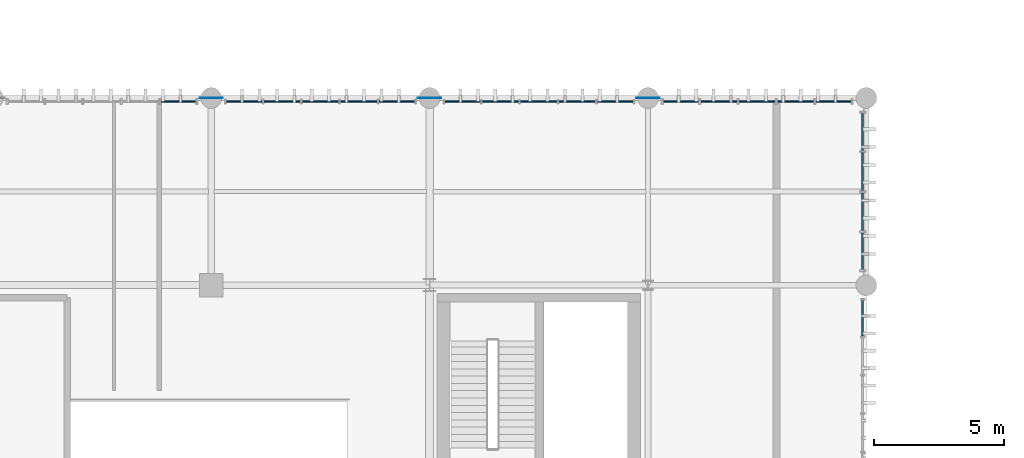
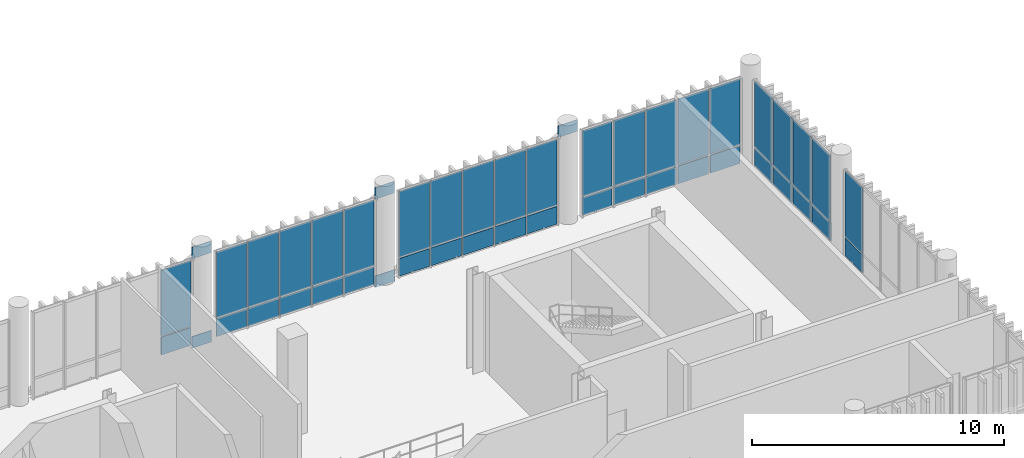
# One storey, part 84 of 109: 47 plates, 6 elements without a shape of their own.
"""IFC4 building model written with IfcOpenShell, lengths in metres."""

from ifc_helpers import new_model, si_unit, direction, frame, frame_2d, origin_with_axes, origin_2d_with_axis, place, context, subcontext, project, spatial, rectangle, extrude, material, layer, layer_set, type_object, element, aggregate, save


model = new_model("IFC4")

# Units and contexts
model_context = context("Model", 3, precision=1e-05, world=origin_with_axes(), true_north=direction((0.0, 1.0)))
body_context = subcontext(model_context, "Body", "Model", "MODEL_VIEW")
ifc_project = project(units=[si_unit("LENGTHUNIT", "METRE"), si_unit("AREAUNIT", "SQUARE_METRE"), si_unit("VOLUMEUNIT", "CUBIC_METRE"), si_unit("PLANEANGLEUNIT", "RADIAN"), si_unit("MASSUNIT", "GRAM", prefix="KILO"), si_unit("THERMODYNAMICTEMPERATUREUNIT", "KELVIN")], contexts=[model_context])

# Site, building, storey
site_placement = place(None, origin_with_axes())
site = spatial("IfcSite", under=ifc_project, at=site_placement, CompositionType="ELEMENT")
building_placement = place(site_placement, origin_with_axes())
building = spatial("IfcBuilding", under=site, at=building_placement, Name="Montbau Bow Law Courts", CompositionType="ELEMENT")
storey_placement = place(building_placement, frame((0.0, 0.0, 10.8), z_axis=(0.0, 0.0, 1.0), x_axis=(1.0, 0.0, 0.0)))
storey = spatial("IfcBuildingStorey", under=building, at=storey_placement, Name="L02", CompositionType="ELEMENT", Elevation=10.8)

# Curtain wall, plate
ifc_material_1 = material(Name="Thermally Broken Extruded Aluminium AA 6063-T6", Category="aluminium")
curtain_wall_type = type_object("IfcCurtainWallType", Name="CW-CRM-01", PredefinedType="NOTDEFINED", material=ifc_material_1)
curtain_wall_1_placement = place(None, frame((64.115, 61.66, 10.8), z_axis=(0.0, 0.0, 1.0), x_axis=(1.0, 0.0, 0.0)))
curtain_wall_1 = element("IfcCurtainWall", 1, at=curtain_wall_1_placement, inside=storey, type_object=curtain_wall_type, Name="CW-L02-165:cw_0165", PredefinedType="NOTDEFINED")
ifc_material_2 = material(Name="Triple-Glazed Low-E Argon Insulating Glass Unit", Category="glass")
ifc_layer_1 = layer(ifc_material_2, 0.044, Name="Curtain Panel", Category="glass")
ifc_layer_set_1 = layer_set([ifc_layer_1], Name="Triple-Glazed Low-E Argon Insulating Glass Unit")
plate_type_1 = type_object("IfcPlateType", Name="PL-CWP-01", PredefinedType="CURTAIN_PANEL", material=ifc_layer_set_1)
plate_1_placement = place(None, frame((70.05, 61.66, 11.78), z_axis=(0.0, -1.0, 0.0), x_axis=(1.0, 0.0, 0.0)))
plate_1 = element("IfcPlate", 2, at=plate_1_placement, type_object=plate_type_1, Name="CW-L02-165-P05-2:cw_0165_P05_2", PredefinedType="CURTAIN_PANEL", context=body_context, shape_type="SweptSolid", body=[
    extrude(rectangle(XDim=1.359, YDim=3.183, at=frame_2d((0.6795, 1.5915), x_axis=(1.0, 0.0))), frame((0.0, 0.0, -0.022), z_axis=(0.0, 0.0, 1.0), x_axis=(1.0, 0.0, 0.0)), (0.0, 0.0, 1.0), 0.044),
])

# Curtain wall, plates
curtain_wall_2_placement = place(None, frame((72.515, 61.66, 10.8), z_axis=(0.0, 0.0, 1.0), x_axis=(1.0, 0.0, 0.0)))
curtain_wall_2 = element("IfcCurtainWall", 3, at=curtain_wall_2_placement, inside=storey, type_object=curtain_wall_type, Name="CW-L02-166:cw_0166", PredefinedType="NOTDEFINED")
plate_2_placement = place(None, frame((72.583, 61.66, 11.782), z_axis=(0.0, -1.0, 0.0), x_axis=(1.0, 0.0, 0.0)))
plate_2 = element("IfcPlate", 4, at=plate_2_placement, type_object=plate_type_1, Name="CW-L02-166-P01-2:cw_0166_P01_2", PredefinedType="CURTAIN_PANEL", context=body_context, shape_type="SweptSolid", body=[
    extrude(rectangle(XDim=1.372, YDim=3.176, at=frame_2d((0.686, 1.588), x_axis=(1.0, 0.0))), frame((0.0, 0.0, -0.022), z_axis=(0.0, 0.0, 1.0), x_axis=(1.0, 0.0, 0.0)), (0.0, 0.0, 1.0), 0.044),
])
plate_3_placement = place(None, frame((74.023, 61.66, 11.782), z_axis=(0.0, -1.0, 0.0), x_axis=(1.0, 0.0, 0.0)))
plate_3 = element("IfcPlate", 5, at=plate_3_placement, type_object=plate_type_1, Name="CW-L02-166-P02-2:cw_0166_P02_2", PredefinedType="CURTAIN_PANEL", context=body_context, shape_type="SweptSolid", body=[
    extrude(rectangle(XDim=1.405, YDim=3.176, at=frame_2d((0.7025, 1.588), x_axis=(1.0, 0.0))), frame((0.0, 0.0, -0.022), z_axis=(0.0, 0.0, 1.0), x_axis=(1.0, 0.0, 0.0)), (0.0, 0.0, 1.0), 0.044),
])
plate_4_placement = place(None, frame((75.497, 61.66, 11.782), z_axis=(0.0, -1.0, 0.0), x_axis=(1.0, 0.0, 0.0)))
plate_4 = element("IfcPlate", 6, at=plate_4_placement, type_object=plate_type_1, Name="CW-L02-166-P03-2:cw_0166_P03_2", PredefinedType="CURTAIN_PANEL", context=body_context, shape_type="SweptSolid", body=[
    extrude(rectangle(XDim=1.406, YDim=3.176, at=frame_2d((0.703, 1.588), x_axis=(1.0, 0.0))), frame((0.0, 0.0, -0.022), z_axis=(0.0, 0.0, 1.0), x_axis=(1.0, 0.0, 0.0)), (0.0, 0.0, 1.0), 0.044),
])
plate_5_placement = place(None, frame((76.971, 61.66, 11.782), z_axis=(0.0, -1.0, 0.0), x_axis=(1.0, 0.0, 0.0)))
plate_5 = element("IfcPlate", 7, at=plate_5_placement, type_object=plate_type_1, Name="CW-L02-166-P04-2:cw_0166_P04_2", PredefinedType="CURTAIN_PANEL", context=body_context, shape_type="SweptSolid", body=[
    extrude(rectangle(XDim=1.406, YDim=3.176, at=frame_2d((0.703, 1.588), x_axis=(1.0, 0.0))), frame((0.0, 0.0, -0.022), z_axis=(0.0, 0.0, 1.0), x_axis=(1.0, 0.0, 0.0)), (0.0, 0.0, 1.0), 0.044),
])
plate_6_placement = place(None, frame((78.445, 61.66, 11.782), z_axis=(0.0, -1.0, 0.0), x_axis=(1.0, 0.0, 0.0)))
plate_6 = element("IfcPlate", 8, at=plate_6_placement, type_object=plate_type_1, Name="CW-L02-166-P05-2:cw_0166_P05_2", PredefinedType="CURTAIN_PANEL", context=body_context, shape_type="SweptSolid", body=[
    extrude(rectangle(XDim=1.374, YDim=3.176, at=frame_2d((0.687, 1.588), x_axis=(1.0, 0.0))), frame((0.0, 0.0, -0.022), z_axis=(0.0, 0.0, 1.0), x_axis=(1.0, 0.0, 0.0)), (0.0, 0.0, 1.0), 0.044),
])

curtain_wall_3_placement = place(None, frame((80.915, 61.66, 10.8), z_axis=(0.0, 0.0, 1.0), x_axis=(1.0, 0.0, 0.0)))
curtain_wall_3 = element("IfcCurtainWall", 9, at=curtain_wall_3_placement, inside=storey, type_object=curtain_wall_type, Name="CW-L02-167:cw_0167", PredefinedType="NOTDEFINED")
plate_7_placement = place(None, frame((80.977, 61.66, 11.78), z_axis=(0.0, -1.0, 0.0), x_axis=(1.0, 0.0, 0.0)))
plate_7 = element("IfcPlate", 10, at=plate_7_placement, type_object=plate_type_1, Name="CW-L02-167-P01-2:cw_0167_P01_2", PredefinedType="CURTAIN_PANEL", context=body_context, shape_type="SweptSolid", body=[
    extrude(rectangle(XDim=1.38, YDim=3.183, at=frame_2d((0.69, 1.5915), x_axis=(1.0, 0.0))), frame((0.0, 0.0, -0.022), z_axis=(0.0, 0.0, 1.0), x_axis=(1.0, 0.0, 0.0)), (0.0, 0.0, 1.0), 0.044),
])
plate_8_placement = place(None, frame((82.421, 61.66, 11.78), z_axis=(0.0, -1.0, 0.0), x_axis=(1.0, 0.0, 0.0)))
plate_8 = element("IfcPlate", 11, at=plate_8_placement, type_object=plate_type_1, Name="CW-L02-167-P02-2:cw_0167_P02_2", PredefinedType="CURTAIN_PANEL", context=body_context, shape_type="SweptSolid", body=[
    extrude(rectangle(XDim=1.41, YDim=3.183, at=frame_2d((0.705, 1.5915), x_axis=(1.0, 0.0))), frame((0.0, 0.0, -0.022), z_axis=(0.0, 0.0, 1.0), x_axis=(1.0, 0.0, 0.0)), (0.0, 0.0, 1.0), 0.044),
])
plate_9_placement = place(None, frame((83.895, 61.66, 11.78), z_axis=(0.0, -1.0, 0.0), x_axis=(1.0, 0.0, 0.0)))
plate_9 = element("IfcPlate", 12, at=plate_9_placement, type_object=plate_type_1, Name="CW-L02-167-P03-2:cw_0167_P03_2", PredefinedType="CURTAIN_PANEL", context=body_context, shape_type="SweptSolid", body=[
    extrude(rectangle(XDim=1.41, YDim=3.183, at=frame_2d((0.705, 1.5915), x_axis=(1.0, 0.0))), frame((0.0, 0.0, -0.022), z_axis=(0.0, 0.0, 1.0), x_axis=(1.0, 0.0, 0.0)), (0.0, 0.0, 1.0), 0.044),
])
plate_10_placement = place(None, frame((85.369, 61.66, 11.78), z_axis=(0.0, -1.0, 0.0), x_axis=(1.0, 0.0, 0.0)))
plate_10 = element("IfcPlate", 13, at=plate_10_placement, type_object=plate_type_1, Name="CW-L02-167-P04-2:cw_0167_P04_2", PredefinedType="CURTAIN_PANEL", context=body_context, shape_type="SweptSolid", body=[
    extrude(rectangle(XDim=1.41, YDim=3.183, at=frame_2d((0.705, 1.5915), x_axis=(1.0, 0.0))), frame((0.0, 0.0, -0.022), z_axis=(0.0, 0.0, 1.0), x_axis=(1.0, 0.0, 0.0)), (0.0, 0.0, 1.0), 0.044),
])
plate_11_placement = place(None, frame((86.843, 61.66, 11.78), z_axis=(0.0, -1.0, 0.0), x_axis=(1.0, 0.0, 0.0)))
plate_11 = element("IfcPlate", 14, at=plate_11_placement, type_object=plate_type_1, Name="CW-L02-167-P05-2:cw_0167_P05_2", PredefinedType="CURTAIN_PANEL", context=body_context, shape_type="SweptSolid", body=[
    extrude(rectangle(XDim=1.38, YDim=3.183, at=frame_2d((0.69, 1.5915), x_axis=(1.0, 0.0))), frame((0.0, 0.0, -0.022), z_axis=(0.0, 0.0, 1.0), x_axis=(1.0, 0.0, 0.0)), (0.0, 0.0, 1.0), 0.044),
])

curtain_wall_4_placement = place(None, frame((89.315, 61.66, 10.8), z_axis=(0.0, 0.0, 1.0), x_axis=(1.0, 0.0, 0.0)))
curtain_wall_4 = element("IfcCurtainWall", 15, at=curtain_wall_4_placement, inside=storey, type_object=curtain_wall_type, Name="CW-L02-168:cw_0168", PredefinedType="NOTDEFINED")
plate_12_placement = place(None, frame((89.391, 61.66, 11.782), z_axis=(0.0, -1.0, 0.0), x_axis=(1.0, 0.0, 0.0)))
plate_12 = element("IfcPlate", 16, at=plate_12_placement, type_object=plate_type_1, Name="CW-L02-168-P01-2:cw_0168_P01_2", PredefinedType="CURTAIN_PANEL", context=body_context, shape_type="SweptSolid", body=[
    extrude(rectangle(XDim=1.358, YDim=3.176, at=frame_2d((0.679, 1.588), x_axis=(1.0, 0.0))), frame((0.0, 0.0, -0.022), z_axis=(0.0, 0.0, 1.0), x_axis=(1.0, 0.0, 0.0)), (0.0, 0.0, 1.0), 0.044),
])
plate_13_placement = place(None, frame((90.829, 61.66, 11.782), z_axis=(0.0, -1.0, 0.0), x_axis=(1.0, 0.0, 0.0)))
plate_13 = element("IfcPlate", 17, at=plate_13_placement, type_object=plate_type_1, Name="CW-L02-168-P02-2:cw_0168_P02_2", PredefinedType="CURTAIN_PANEL", context=body_context, shape_type="SweptSolid", body=[
    extrude(rectangle(XDim=1.395, YDim=3.176, at=frame_2d((0.6975, 1.588), x_axis=(1.0, 0.0))), frame((0.0, 0.0, -0.022), z_axis=(0.0, 0.0, 1.0), x_axis=(1.0, 0.0, 0.0)), (0.0, 0.0, 1.0), 0.044),
])
plate_14_placement = place(None, frame((92.302, 61.66, 11.782), z_axis=(0.0, -1.0, 0.0), x_axis=(1.0, 0.0, 0.0)))
plate_14 = element("IfcPlate", 18, at=plate_14_placement, type_object=plate_type_1, Name="CW-L02-168-P03-2:cw_0168_P03_2", PredefinedType="CURTAIN_PANEL", context=body_context, shape_type="SweptSolid", body=[
    extrude(rectangle(XDim=1.396, YDim=3.176, at=frame_2d((0.698, 1.588), x_axis=(1.0, 0.0))), frame((0.0, 0.0, -0.022), z_axis=(0.0, 0.0, 1.0), x_axis=(1.0, 0.0, 0.0)), (0.0, 0.0, 1.0), 0.044),
])
plate_15_placement = place(None, frame((93.776, 61.66, 11.782), z_axis=(0.0, -1.0, 0.0), x_axis=(1.0, 0.0, 0.0)))
plate_15 = element("IfcPlate", 19, at=plate_15_placement, type_object=plate_type_1, Name="CW-L02-168-P04-2:cw_0168_P04_2", PredefinedType="CURTAIN_PANEL", context=body_context, shape_type="SweptSolid", body=[
    extrude(rectangle(XDim=1.396, YDim=3.176, at=frame_2d((0.698, 1.588), x_axis=(1.0, 0.0))), frame((0.0, 0.0, -0.022), z_axis=(0.0, 0.0, 1.0), x_axis=(1.0, 0.0, 0.0)), (0.0, 0.0, 1.0), 0.044),
])
plate_16_placement = place(None, frame((95.25, 61.66, 11.782), z_axis=(0.0, -1.0, 0.0), x_axis=(1.0, 0.0, 0.0)))
plate_16 = element("IfcPlate", 20, at=plate_16_placement, type_object=plate_type_1, Name="CW-L02-168-P05-2:cw_0168_P05_2", PredefinedType="CURTAIN_PANEL", context=body_context, shape_type="SweptSolid", body=[
    extrude(rectangle(XDim=1.359, YDim=3.176, at=frame_2d((0.6795, 1.588), x_axis=(1.0, 0.0))), frame((0.0, 0.0, -0.022), z_axis=(0.0, 0.0, 1.0), x_axis=(1.0, 0.0, 0.0)), (0.0, 0.0, 1.0), 0.044),
])

# Curtain wall, plate
curtain_wall_5_placement = place(None, frame((97.06, 46.715, 10.8), z_axis=(0.0, 0.0, 1.0), x_axis=(1.0, 0.0, 0.0)))
curtain_wall_5 = element("IfcCurtainWall", 21, at=curtain_wall_5_placement, inside=storey, type_object=curtain_wall_type, Name="CW-L02-173:cw_0173", PredefinedType="NOTDEFINED")
plate_17_placement = place(None, frame((97.06, 52.643, 11.78), z_axis=(1.0, 0.0, 0.0), x_axis=(0.0, 1.0, 0.0)))
plate_17 = element("IfcPlate", 22, at=plate_17_placement, type_object=plate_type_1, Name="CW-L02-173-P05-2:cw_0173_P05_2", PredefinedType="CURTAIN_PANEL", context=body_context, shape_type="SweptSolid", body=[
    extrude(rectangle(XDim=1.38, YDim=3.183, at=frame_2d((0.69, 1.5915), x_axis=(1.0, 0.0))), frame((0.0, 0.0, -0.022), z_axis=(0.0, 0.0, 1.0), x_axis=(1.0, 0.0, 0.0)), (0.0, 0.0, 1.0), 0.044),
])

# Curtain wall, plates
curtain_wall_6_placement = place(None, frame((97.06, 55.115, 10.8), z_axis=(0.0, 0.0, 1.0), x_axis=(1.0, 0.0, 0.0)))
curtain_wall_6 = element("IfcCurtainWall", 23, at=curtain_wall_6_placement, inside=storey, type_object=curtain_wall_type, Name="CW-L02-174:cw_0174", PredefinedType="NOTDEFINED")
plate_18_placement = place(None, frame((97.06, 55.191, 11.782), z_axis=(1.0, 0.0, 0.0), x_axis=(0.0, 1.0, 0.0)))
plate_18 = element("IfcPlate", 24, at=plate_18_placement, type_object=plate_type_1, Name="CW-L02-174-P01-2:cw_0174_P01_2", PredefinedType="CURTAIN_PANEL", context=body_context, shape_type="SweptSolid", body=[
    extrude(rectangle(XDim=1.426, YDim=3.176, at=frame_2d((0.713, 1.588), x_axis=(1.0, 0.0))), frame((0.0, 0.0, -0.022), z_axis=(0.0, 0.0, 1.0), x_axis=(1.0, 0.0, 0.0)), (0.0, 0.0, 1.0), 0.044),
])
plate_19_placement = place(None, frame((97.06, 56.697, 11.782), z_axis=(1.0, 0.0, 0.0), x_axis=(0.0, 1.0, 0.0)))
plate_19 = element("IfcPlate", 25, at=plate_19_placement, type_object=plate_type_1, Name="CW-L02-174-P02-2:cw_0174_P02_2", PredefinedType="CURTAIN_PANEL", context=body_context, shape_type="SweptSolid", body=[
    extrude(rectangle(XDim=1.464, YDim=3.176, at=frame_2d((0.732, 1.588), x_axis=(1.0, 0.0))), frame((0.0, 0.0, -0.022), z_axis=(0.0, 0.0, 1.0), x_axis=(1.0, 0.0, 0.0)), (0.0, 0.0, 1.0), 0.044),
])
plate_20_placement = place(None, frame((97.06, 58.239, 11.782), z_axis=(1.0, 0.0, 0.0), x_axis=(0.0, 1.0, 0.0)))
plate_20 = element("IfcPlate", 26, at=plate_20_placement, type_object=plate_type_1, Name="CW-L02-174-P03-2:cw_0174_P03_2", PredefinedType="CURTAIN_PANEL", context=body_context, shape_type="SweptSolid", body=[
    extrude(rectangle(XDim=1.464, YDim=3.176, at=frame_2d((0.732, 1.588), x_axis=(1.0, 0.0))), frame((0.0, 0.0, -0.022), z_axis=(0.0, 0.0, 1.0), x_axis=(1.0, 0.0, 0.0)), (0.0, 0.0, 1.0), 0.044),
])
plate_21_placement = place(None, frame((97.06, 59.781, 11.782), z_axis=(1.0, 0.0, 0.0), x_axis=(0.0, 1.0, 0.0)))
plate_21 = element("IfcPlate", 27, at=plate_21_placement, type_object=plate_type_1, Name="CW-L02-174-P04-2:cw_0174_P04_2", PredefinedType="CURTAIN_PANEL", context=body_context, shape_type="SweptSolid", body=[
    extrude(rectangle(XDim=1.427, YDim=3.176, at=frame_2d((0.7135, 1.588), x_axis=(1.0, 0.0))), frame((0.0, 0.0, -0.022), z_axis=(0.0, 0.0, 1.0), x_axis=(1.0, 0.0, 0.0)), (0.0, 0.0, 1.0), 0.044),
])

# Plate
ifc_material_3 = material(Name="Insulated Ceramic-Frit Spandrel Glazing Unit", Category="glass")
ifc_layer_2 = layer(ifc_material_3, 0.056, Name="Curtain Panel", Category="glass")
ifc_layer_set_2 = layer_set([ifc_layer_2], Name="Insulated Ceramic-Frit Spandrel Glazing Unit")
plate_type_2 = type_object("IfcPlateType", Name="PL-CWP-02", PredefinedType="CURTAIN_PANEL", material=ifc_layer_set_2)
plate_22_placement = place(None, frame((70.05, 61.66, 10.857), z_axis=(0.0, -1.0, 0.0), x_axis=(1.0, 0.0, 0.0)))
plate_22 = element("IfcPlate", 28, at=plate_22_placement, type_object=plate_type_2, Name="CW-L02-165-P05-1:cw_0165_P05_1", PredefinedType="CURTAIN_PANEL", context=body_context, shape_type="SweptSolid", body=[
    extrude(rectangle(XDim=1.359, YDim=0.863, at=frame_2d((0.6795, 0.4315), x_axis=(1.0, 0.0))), frame((0.0, 0.0, -0.028), z_axis=(0.0, 0.0, 1.0), x_axis=(1.0, 0.0, 0.0)), (0.0, 0.0, 1.0), 0.056),
])

aggregate(curtain_wall_1, [plate_22, plate_1])

plate_23_placement = place(None, frame((72.583, 61.66, 10.862), z_axis=(0.0, -1.0, 0.0), x_axis=(1.0, 0.0, 0.0)))
plate_23 = element("IfcPlate", 29, at=plate_23_placement, type_object=plate_type_2, Name="CW-L02-166-P01-1:cw_0166_P01_1", PredefinedType="CURTAIN_PANEL", context=body_context, shape_type="SweptSolid", body=[
    extrude(rectangle(XDim=1.372, YDim=0.856, at=frame_2d((0.686, 0.428), x_axis=(1.0, 0.0))), frame((0.0, 0.0, -0.028), z_axis=(0.0, 0.0, 1.0), x_axis=(1.0, 0.0, 0.0)), (0.0, 0.0, 1.0), 0.056),
])

plate_24_placement = place(None, frame((74.023, 61.66, 10.862), z_axis=(0.0, -1.0, 0.0), x_axis=(1.0, 0.0, 0.0)))
plate_24 = element("IfcPlate", 30, at=plate_24_placement, type_object=plate_type_2, Name="CW-L02-166-P02-1:cw_0166_P02_1", PredefinedType="CURTAIN_PANEL", context=body_context, shape_type="SweptSolid", body=[
    extrude(rectangle(XDim=1.405, YDim=0.856, at=frame_2d((0.7025, 0.428), x_axis=(1.0, 0.0))), frame((0.0, 0.0, -0.028), z_axis=(0.0, 0.0, 1.0), x_axis=(1.0, 0.0, 0.0)), (0.0, 0.0, 1.0), 0.056),
])

plate_25_placement = place(None, frame((75.497, 61.66, 10.862), z_axis=(0.0, -1.0, 0.0), x_axis=(1.0, 0.0, 0.0)))
plate_25 = element("IfcPlate", 31, at=plate_25_placement, type_object=plate_type_2, Name="CW-L02-166-P03-1:cw_0166_P03_1", PredefinedType="CURTAIN_PANEL", context=body_context, shape_type="SweptSolid", body=[
    extrude(rectangle(XDim=1.406, YDim=0.856, at=frame_2d((0.703, 0.428), x_axis=(1.0, 0.0))), frame((0.0, 0.0, -0.028), z_axis=(0.0, 0.0, 1.0), x_axis=(1.0, 0.0, 0.0)), (0.0, 0.0, 1.0), 0.056),
])

plate_26_placement = place(None, frame((76.971, 61.66, 10.862), z_axis=(0.0, -1.0, 0.0), x_axis=(1.0, 0.0, 0.0)))
plate_26 = element("IfcPlate", 32, at=plate_26_placement, type_object=plate_type_2, Name="CW-L02-166-P04-1:cw_0166_P04_1", PredefinedType="CURTAIN_PANEL", context=body_context, shape_type="SweptSolid", body=[
    extrude(rectangle(XDim=1.406, YDim=0.856, at=frame_2d((0.703, 0.428), x_axis=(1.0, 0.0))), frame((0.0, 0.0, -0.028), z_axis=(0.0, 0.0, 1.0), x_axis=(1.0, 0.0, 0.0)), (0.0, 0.0, 1.0), 0.056),
])

plate_27_placement = place(None, frame((78.445, 61.66, 10.862), z_axis=(0.0, -1.0, 0.0), x_axis=(1.0, 0.0, 0.0)))
plate_27 = element("IfcPlate", 33, at=plate_27_placement, type_object=plate_type_2, Name="CW-L02-166-P05-1:cw_0166_P05_1", PredefinedType="CURTAIN_PANEL", context=body_context, shape_type="SweptSolid", body=[
    extrude(rectangle(XDim=1.374, YDim=0.856, at=frame_2d((0.687, 0.428), x_axis=(1.0, 0.0))), frame((0.0, 0.0, -0.028), z_axis=(0.0, 0.0, 1.0), x_axis=(1.0, 0.0, 0.0)), (0.0, 0.0, 1.0), 0.056),
])

aggregate(curtain_wall_2, [plate_23, plate_2, plate_24, plate_3, plate_25, plate_4, plate_26, plate_5, plate_27, plate_6])

plate_28_placement = place(None, frame((80.977, 61.66, 10.857), z_axis=(0.0, -1.0, 0.0), x_axis=(1.0, 0.0, 0.0)))
plate_28 = element("IfcPlate", 34, at=plate_28_placement, type_object=plate_type_2, Name="CW-L02-167-P01-1:cw_0167_P01_1", PredefinedType="CURTAIN_PANEL", context=body_context, shape_type="SweptSolid", body=[
    extrude(rectangle(XDim=1.38, YDim=0.863, at=frame_2d((0.69, 0.4315), x_axis=(1.0, 0.0))), frame((0.0, 0.0, -0.028), z_axis=(0.0, 0.0, 1.0), x_axis=(1.0, 0.0, 0.0)), (0.0, 0.0, 1.0), 0.056),
])

plate_29_placement = place(None, frame((82.421, 61.66, 10.857), z_axis=(0.0, -1.0, 0.0), x_axis=(1.0, 0.0, 0.0)))
plate_29 = element("IfcPlate", 35, at=plate_29_placement, type_object=plate_type_2, Name="CW-L02-167-P02-1:cw_0167_P02_1", PredefinedType="CURTAIN_PANEL", context=body_context, shape_type="SweptSolid", body=[
    extrude(rectangle(XDim=1.41, YDim=0.863, at=frame_2d((0.705, 0.4315), x_axis=(1.0, 0.0))), frame((0.0, 0.0, -0.028), z_axis=(0.0, 0.0, 1.0), x_axis=(1.0, 0.0, 0.0)), (0.0, 0.0, 1.0), 0.056),
])

plate_30_placement = place(None, frame((83.895, 61.66, 10.857), z_axis=(0.0, -1.0, 0.0), x_axis=(1.0, 0.0, 0.0)))
plate_30 = element("IfcPlate", 36, at=plate_30_placement, type_object=plate_type_2, Name="CW-L02-167-P03-1:cw_0167_P03_1", PredefinedType="CURTAIN_PANEL", context=body_context, shape_type="SweptSolid", body=[
    extrude(rectangle(XDim=1.41, YDim=0.863, at=frame_2d((0.705, 0.4315), x_axis=(1.0, 0.0))), frame((0.0, 0.0, -0.028), z_axis=(0.0, 0.0, 1.0), x_axis=(1.0, 0.0, 0.0)), (0.0, 0.0, 1.0), 0.056),
])

plate_31_placement = place(None, frame((85.369, 61.66, 10.857), z_axis=(0.0, -1.0, 0.0), x_axis=(1.0, 0.0, 0.0)))
plate_31 = element("IfcPlate", 37, at=plate_31_placement, type_object=plate_type_2, Name="CW-L02-167-P04-1:cw_0167_P04_1", PredefinedType="CURTAIN_PANEL", context=body_context, shape_type="SweptSolid", body=[
    extrude(rectangle(XDim=1.41, YDim=0.863, at=frame_2d((0.705, 0.4315), x_axis=(1.0, 0.0))), frame((0.0, 0.0, -0.028), z_axis=(0.0, 0.0, 1.0), x_axis=(1.0, 0.0, 0.0)), (0.0, 0.0, 1.0), 0.056),
])

plate_32_placement = place(None, frame((86.843, 61.66, 10.857), z_axis=(0.0, -1.0, 0.0), x_axis=(1.0, 0.0, 0.0)))
plate_32 = element("IfcPlate", 38, at=plate_32_placement, type_object=plate_type_2, Name="CW-L02-167-P05-1:cw_0167_P05_1", PredefinedType="CURTAIN_PANEL", context=body_context, shape_type="SweptSolid", body=[
    extrude(rectangle(XDim=1.38, YDim=0.863, at=frame_2d((0.69, 0.4315), x_axis=(1.0, 0.0))), frame((0.0, 0.0, -0.028), z_axis=(0.0, 0.0, 1.0), x_axis=(1.0, 0.0, 0.0)), (0.0, 0.0, 1.0), 0.056),
])

aggregate(curtain_wall_3, [plate_28, plate_7, plate_29, plate_8, plate_30, plate_9, plate_31, plate_10, plate_32, plate_11])

plate_33_placement = place(None, frame((89.391, 61.66, 10.862), z_axis=(0.0, -1.0, 0.0), x_axis=(1.0, 0.0, 0.0)))
plate_33 = element("IfcPlate", 39, at=plate_33_placement, type_object=plate_type_2, Name="CW-L02-168-P01-1:cw_0168_P01_1", PredefinedType="CURTAIN_PANEL", context=body_context, shape_type="SweptSolid", body=[
    extrude(rectangle(XDim=1.358, YDim=0.856, at=frame_2d((0.679, 0.428), x_axis=(1.0, 0.0))), frame((0.0, 0.0, -0.028), z_axis=(0.0, 0.0, 1.0), x_axis=(1.0, 0.0, 0.0)), (0.0, 0.0, 1.0), 0.056),
])

plate_34_placement = place(None, frame((90.829, 61.66, 10.862), z_axis=(0.0, -1.0, 0.0), x_axis=(1.0, 0.0, 0.0)))
plate_34 = element("IfcPlate", 40, at=plate_34_placement, type_object=plate_type_2, Name="CW-L02-168-P02-1:cw_0168_P02_1", PredefinedType="CURTAIN_PANEL", context=body_context, shape_type="SweptSolid", body=[
    extrude(rectangle(XDim=1.395, YDim=0.856, at=frame_2d((0.6975, 0.428), x_axis=(1.0, 0.0))), frame((0.0, 0.0, -0.028), z_axis=(0.0, 0.0, 1.0), x_axis=(1.0, 0.0, 0.0)), (0.0, 0.0, 1.0), 0.056),
])

plate_35_placement = place(None, frame((92.302, 61.66, 10.862), z_axis=(0.0, -1.0, 0.0), x_axis=(1.0, 0.0, 0.0)))
plate_35 = element("IfcPlate", 41, at=plate_35_placement, type_object=plate_type_2, Name="CW-L02-168-P03-1:cw_0168_P03_1", PredefinedType="CURTAIN_PANEL", context=body_context, shape_type="SweptSolid", body=[
    extrude(rectangle(XDim=1.396, YDim=0.856, at=frame_2d((0.698, 0.428), x_axis=(1.0, 0.0))), frame((0.0, 0.0, -0.028), z_axis=(0.0, 0.0, 1.0), x_axis=(1.0, 0.0, 0.0)), (0.0, 0.0, 1.0), 0.056),
])

plate_36_placement = place(None, frame((93.776, 61.66, 10.862), z_axis=(0.0, -1.0, 0.0), x_axis=(1.0, 0.0, 0.0)))
plate_36 = element("IfcPlate", 42, at=plate_36_placement, type_object=plate_type_2, Name="CW-L02-168-P04-1:cw_0168_P04_1", PredefinedType="CURTAIN_PANEL", context=body_context, shape_type="SweptSolid", body=[
    extrude(rectangle(XDim=1.396, YDim=0.856, at=frame_2d((0.698, 0.428), x_axis=(1.0, 0.0))), frame((0.0, 0.0, -0.028), z_axis=(0.0, 0.0, 1.0), x_axis=(1.0, 0.0, 0.0)), (0.0, 0.0, 1.0), 0.056),
])

plate_37_placement = place(None, frame((95.25, 61.66, 10.862), z_axis=(0.0, -1.0, 0.0), x_axis=(1.0, 0.0, 0.0)))
plate_37 = element("IfcPlate", 43, at=plate_37_placement, type_object=plate_type_2, Name="CW-L02-168-P05-1:cw_0168_P05_1", PredefinedType="CURTAIN_PANEL", context=body_context, shape_type="SweptSolid", body=[
    extrude(rectangle(XDim=1.359, YDim=0.856, at=frame_2d((0.6795, 0.428), x_axis=(1.0, 0.0))), frame((0.0, 0.0, -0.028), z_axis=(0.0, 0.0, 1.0), x_axis=(1.0, 0.0, 0.0)), (0.0, 0.0, 1.0), 0.056),
])

aggregate(curtain_wall_4, [plate_33, plate_12, plate_34, plate_13, plate_35, plate_14, plate_36, plate_15, plate_37, plate_16])

plate_38_placement = place(None, frame((97.06, 52.643, 10.857), z_axis=(1.0, 0.0, 0.0), x_axis=(0.0, 1.0, 0.0)))
plate_38 = element("IfcPlate", 44, at=plate_38_placement, type_object=plate_type_2, Name="CW-L02-173-P05-1:cw_0173_P05_1", PredefinedType="CURTAIN_PANEL", context=body_context, shape_type="SweptSolid", body=[
    extrude(rectangle(XDim=1.38, YDim=0.863, at=frame_2d((0.69, 0.4315), x_axis=(1.0, 0.0))), frame((0.0, 0.0, -0.028), z_axis=(0.0, 0.0, 1.0), x_axis=(1.0, 0.0, 0.0)), (0.0, 0.0, 1.0), 0.056),
])

aggregate(curtain_wall_5, [plate_38, plate_17])

plate_39_placement = place(None, frame((97.06, 55.191, 10.862), z_axis=(1.0, 0.0, 0.0), x_axis=(0.0, 1.0, 0.0)))
plate_39 = element("IfcPlate", 45, at=plate_39_placement, type_object=plate_type_2, Name="CW-L02-174-P01-1:cw_0174_P01_1", PredefinedType="CURTAIN_PANEL", context=body_context, shape_type="SweptSolid", body=[
    extrude(rectangle(XDim=1.426, YDim=0.856, at=frame_2d((0.713, 0.428), x_axis=(1.0, 0.0))), frame((0.0, 0.0, -0.028), z_axis=(0.0, 0.0, 1.0), x_axis=(1.0, 0.0, 0.0)), (0.0, 0.0, 1.0), 0.056),
])

plate_40_placement = place(None, frame((97.06, 56.697, 10.862), z_axis=(1.0, 0.0, 0.0), x_axis=(0.0, 1.0, 0.0)))
plate_40 = element("IfcPlate", 46, at=plate_40_placement, type_object=plate_type_2, Name="CW-L02-174-P02-1:cw_0174_P02_1", PredefinedType="CURTAIN_PANEL", context=body_context, shape_type="SweptSolid", body=[
    extrude(rectangle(XDim=1.464, YDim=0.856, at=frame_2d((0.732, 0.428), x_axis=(1.0, 0.0))), frame((0.0, 0.0, -0.028), z_axis=(0.0, 0.0, 1.0), x_axis=(1.0, 0.0, 0.0)), (0.0, 0.0, 1.0), 0.056),
])

plate_41_placement = place(None, frame((97.06, 58.239, 10.862), z_axis=(1.0, 0.0, 0.0), x_axis=(0.0, 1.0, 0.0)))
plate_41 = element("IfcPlate", 47, at=plate_41_placement, type_object=plate_type_2, Name="CW-L02-174-P03-1:cw_0174_P03_1", PredefinedType="CURTAIN_PANEL", context=body_context, shape_type="SweptSolid", body=[
    extrude(rectangle(XDim=1.464, YDim=0.856, at=frame_2d((0.732, 0.428), x_axis=(1.0, 0.0))), frame((0.0, 0.0, -0.028), z_axis=(0.0, 0.0, 1.0), x_axis=(1.0, 0.0, 0.0)), (0.0, 0.0, 1.0), 0.056),
])

plate_42_placement = place(None, frame((97.06, 59.781, 10.862), z_axis=(1.0, 0.0, 0.0), x_axis=(0.0, 1.0, 0.0)))
plate_42 = element("IfcPlate", 48, at=plate_42_placement, type_object=plate_type_2, Name="CW-L02-174-P04-1:cw_0174_P04_1", PredefinedType="CURTAIN_PANEL", context=body_context, shape_type="SweptSolid", body=[
    extrude(rectangle(XDim=1.427, YDim=0.856, at=frame_2d((0.7135, 0.428), x_axis=(1.0, 0.0))), frame((0.0, 0.0, -0.028), z_axis=(0.0, 0.0, 1.0), x_axis=(1.0, 0.0, 0.0)), (0.0, 0.0, 1.0), 0.056),
])

aggregate(curtain_wall_6, [plate_39, plate_18, plate_40, plate_19, plate_41, plate_20, plate_42, plate_21])

# Plates
ifc_material_4 = material(Name="Steel CSA G40.21 Grade 350WT (350 MPa)", Category="steel")
ifc_layer_3 = layer(ifc_material_4, 0.032, Name="Gusset Plate", Category="steel")
ifc_layer_set_3 = layer_set([ifc_layer_3], Name="Steel CSA G40.21 Grade 350WT (350 MPa)")
plate_type_3 = type_object("IfcPlateType", Name="PL-GUS-01", PredefinedType="USERDEFINED", material=ifc_layer_set_3)
for number, where, z_axis, x_axis, name in (
    (49, (80.4, 61.8, 10.57), (0.0, 0.0, 1.0), (1.0, 0.0, 0.0), "BGP-L02-110:plt_0141"),
    (50, (88.8, 61.8, 14.908), (0.0, 0.0, 1.0), (1.0, 0.0, 0.0), "BGP-L02-111:plt_0142"),
    (51, (72.0, 61.8, 10.57), (0.0, 0.0, 1.0), (1.0, 0.0, 0.0), "BGP-L02-122:plt_0153"),
    (52, (80.4, 61.8, 14.857), (0.0, 0.0, 1.0), (1.0, 0.0, 0.0), "BGP-L02-123:plt_0154"),
    (53, (72.0, 61.8, 14.908), (0.0, 0.0, 1.0), (1.0, 0.0, 0.0), "BGP-L02-131:plt_0162"),
):
    element("IfcPlate", number, at=place(None, frame(where, z_axis=z_axis, x_axis=x_axis)), inside=storey, type_object=plate_type_3, Name=name, ObjectType="GUSSET_PLATE", PredefinedType="USERDEFINED", context=body_context, shape_type="SweptSolid", body=[
        extrude(rectangle(XDim=0.9, YDim=0.032, at=origin_2d_with_axis()), origin_with_axes(), (0.0, 0.0, 1.0), 0.56),
    ])

save(model, "model.ifc")
